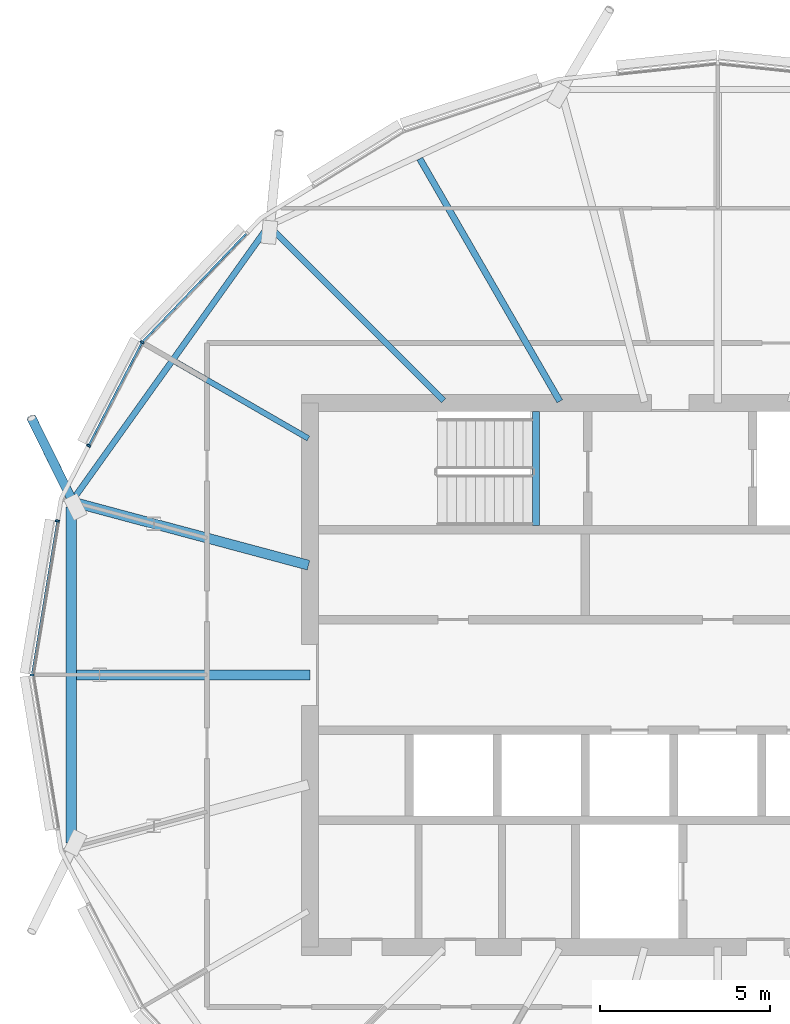
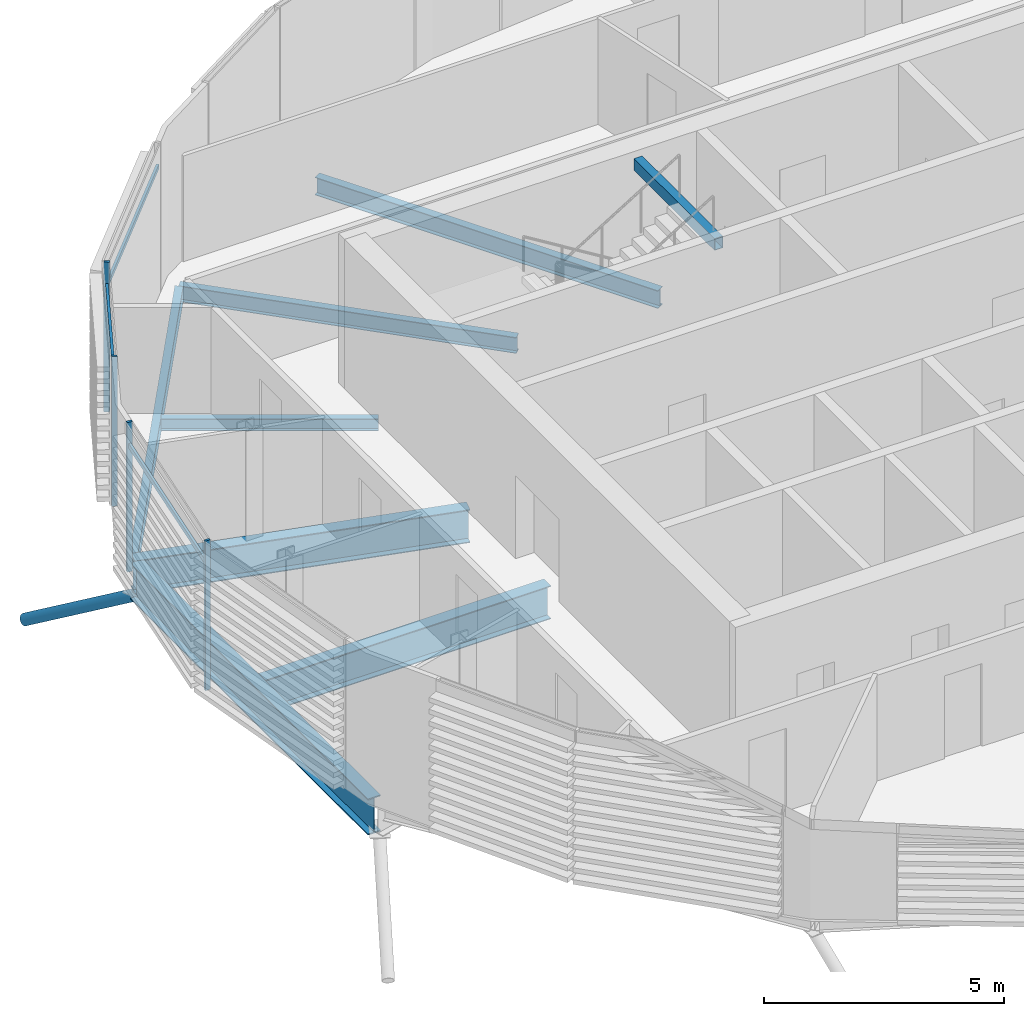
# One storey, part 5 of 34: 8 beams, 8 members, 1 element without a shape of its own.
"""IFC4 building model written with IfcOpenShell, lengths in metres."""

from ifc_helpers import new_model, si_unit, direction, frame, origin, origin_2d, place, context, subcontext, project, spatial, rectangle, hollow_rectangle, hollow_circle, i_section, extrude, clip, halfspace, material, material_profile, profile_set, type_object, element, aggregate, save


model = new_model("IFC4")

# Units and contexts
model_context = context("Model", 3, precision=1e-05, world=origin(), true_north=direction((0.0, 1.0)))
body_context = subcontext(model_context, "Body", "Model", "MODEL_VIEW")
ifc_project = project(units=[si_unit("LENGTHUNIT", "METRE"), si_unit("AREAUNIT", "SQUARE_METRE"), si_unit("VOLUMEUNIT", "CUBIC_METRE"), si_unit("PLANEANGLEUNIT", "RADIAN"), si_unit("MASSUNIT", "GRAM", prefix="KILO")], contexts=[model_context])

# Site, building, storey
site_placement = place(None, origin())
site = spatial("IfcSite", under=ifc_project, at=site_placement, CompositionType="ELEMENT")
building_placement = place(site_placement, origin())
building = spatial("IfcBuilding", under=site, at=building_placement, Name="Rimbun Link Towers", CompositionType="ELEMENT")
storey_placement = place(building_placement, frame((0.0, 0.0, 252.300048828125)))
storey = spatial("IfcBuildingStorey", under=building, at=storey_placement, Name="L62", CompositionType="ELEMENT", Elevation=252.300048828125)

# Curtain wall, members
ifc_material_1 = material(Name="Aluminium 6063-T6 and low-iron glass", Category="aluminium")
curtain_wall_type = type_object("IfcCurtainWallType", Name="CW1-Z4 unitised vision wall (zone 4)", PredefinedType="NOTDEFINED", material=ifc_material_1)
curtain_wall_placement = place(storey_placement, origin())
curtain_wall = element("IfcCurtainWall", 1, at=curtain_wall_placement, inside=storey, type_object=curtain_wall_type, Name="CW1 L62 T1", PredefinedType="NOTDEFINED")
ifc_material_2 = material(Name="Aluminium 6063-T6", Category="aluminium")
ifc_material_profile_1 = material_profile(ifc_material_2, rectangle(XDim=0.1201171875, YDim=0.06005859375, at=origin_2d()), Name="MULLION 60X120")
ifc_profile_set_1 = profile_set([ifc_material_profile_1], Name="Aluminium 6063-T6")
member_type_1 = type_object("IfcMemberType", Name="CW1 mullion 60X120", PredefinedType="MULLION", material=ifc_profile_set_1)
member_1_placement = place(storey_placement, frame((-48.683837890625, 9.783447265625, 0.0), z_axis=(0.0, 0.0, 1.0), x_axis=(-0.813354276071, 0.581768701115, 0.0)))
member_1 = element("IfcMember", 2, at=member_1_placement, type_object=member_type_1, Name="CW1 mullion", PredefinedType="MULLION", context=body_context, shape_type="SweptSolid", body=[
    extrude(rectangle(XDim=0.1201171875, YDim=0.06005859375, at=origin_2d()), origin(), (0.0, 0.0, 1.0), 3.800048828125),
])
member_2_placement = place(storey_placement, frame((-50.258056640625, 6.742431640625, 0.0), z_axis=(0.0, 0.0, 1.0), x_axis=(-0.888150898734, 0.459551935126, 0.0)))
member_2 = element("IfcMember", 3, at=member_2_placement, type_object=member_type_1, Name="CW1 mullion", PredefinedType="MULLION", context=body_context, shape_type="SweptSolid", body=[
    extrude(rectangle(XDim=0.1201171875, YDim=0.06005859375, at=origin_2d()), origin(), (0.0, 0.0, 1.0), 3.800048828125),
])
member_3_placement = place(storey_placement, frame((-51.917724609375, 0.0, 0.0), z_axis=(0.0, 0.0, 1.0), x_axis=(-1.0, 0.0, 0.0)))
member_3 = element("IfcMember", 4, at=member_3_placement, type_object=member_type_1, Name="CW1 mullion", PredefinedType="MULLION", context=body_context, shape_type="SweptSolid", body=[
    extrude(rectangle(XDim=0.1201171875, YDim=0.06005859375, at=origin_2d()), origin(), (0.0, 0.0, 1.0), 3.800048828125),
])
member_4_placement = place(storey_placement, frame((-51.173828125, 4.52880859375, 0.0), z_axis=(0.0, 0.0, 1.0), x_axis=(-0.986747677327, 0.162262199201, 0.0)))
member_4 = element("IfcMember", 5, at=member_4_placement, type_object=member_type_1, Name="CW1 mullion", PredefinedType="MULLION", context=body_context, shape_type="SweptSolid", body=[
    extrude(rectangle(XDim=0.1201171875, YDim=0.06005859375, at=origin_2d()), origin(), (0.0, 0.0, 1.0), 3.800048828125),
])
ifc_material_3 = material(Name="Aluminium 6063-T6", Category="aluminium")
ifc_material_profile_2 = material_profile(ifc_material_3, rectangle(XDim=0.06005859375, YDim=0.1201171875, at=origin_2d()), Name="TRANSOM 60X120")
ifc_profile_set_2 = profile_set([ifc_material_profile_2], Name="Aluminium 6063-T6")
member_type_2 = type_object("IfcMemberType", Name="CW1 transom 60X120", PredefinedType="USERDEFINED", material=ifc_profile_set_2)
member_5_placement = place(storey_placement, frame((-48.65625, 9.810302734375, 3.199951171875), z_axis=(0.692037083084, 0.721861950539, 0.0), x_axis=(-0.721861950539, 0.692037083084, 0.0)))
member_5 = element("IfcMember", 6, at=member_5_placement, type_object=member_type_2, Name="CW1 transom", ObjectType="TRANSOM", PredefinedType="USERDEFINED", context=body_context, shape_type="SweptSolid", body=[
    extrude(rectangle(XDim=0.06005859375, YDim=0.1201171875, at=origin_2d()), origin(), (0.0, 0.0, 1.0), 4.3876953125),
])
member_6_placement = place(storey_placement, frame((-50.24267578125, 6.76806640625, 3.199951171875), z_axis=(0.459567390883, 0.888142901361, 0.0), x_axis=(-0.888142901361, 0.459567390883, 0.0)))
member_6 = element("IfcMember", 7, at=member_6_placement, type_object=member_type_2, Name="CW1 transom", ObjectType="TRANSOM", PredefinedType="USERDEFINED", context=body_context, shape_type="SweptSolid", body=[
    extrude(rectangle(XDim=0.06005859375, YDim=0.1201171875, at=origin_2d()), origin(), (0.0, 0.0, 1.0), 3.35595703125),
])
member_7_placement = place(storey_placement, frame((-51.91015625, 0.0390625, 3.199951171875), z_axis=(0.16226135535, 0.986747816091, 0.0), x_axis=(-0.986747816091, 0.16226135535, 0.0)))
member_7 = element("IfcMember", 8, at=member_7_placement, type_object=member_type_2, Name="CW1 transom", ObjectType="TRANSOM", PredefinedType="USERDEFINED", context=body_context, shape_type="SweptSolid", body=[
    extrude(rectangle(XDim=0.06005859375, YDim=0.1201171875, at=origin_2d()), origin(), (0.0, 0.0, 1.0), 4.519775390625),
])
aggregate(curtain_wall, [member_1, member_2, member_3, member_4, member_5, member_6, member_7])

# Member
ifc_material_4 = material(Name="Steel S355J2H", Category="steel")
ifc_material_profile_3 = material_profile(ifc_material_4, hollow_circle(Radius=0.136474609375, WallThickness=0.012451171875, at=origin_2d()), Name="CHS 273x12.5")
ifc_profile_set_3 = profile_set([ifc_material_profile_3], Name="Steel S355J2H")
member_type_3 = type_object("IfcMemberType", Name="Floor edge link CHS 273x12.5", PredefinedType="BRACE", material=ifc_profile_set_3)
member_8_placement = place(storey_placement, frame((-50.713623046875, 5.081298828125, -1.096923828125), z_axis=(-0.377196030767, 0.762957867811, -0.524993758361), x_axis=(-0.896430995804, -0.443183336511, 0.0)))
element("IfcMember", 9, at=member_8_placement, inside=storey, type_object=member_type_3, Name="Floor edge link T1 L62 11", PredefinedType="BRACE", context=body_context, shape_type="Clipping", body=[
    clip(extrude(hollow_circle(Radius=0.136474609375, WallThickness=0.012451171875, at=origin_2d()), frame((0.0, 0.0, -0.461669921875)), (0.0, 0.0, 1.0), 3.710693359375), halfspace(frame((0.0, 0.0, -0.217529296875), z_axis=(0.0, 0.851106076633, -0.524993758361)), False)),
])

# Beams
ifc_material_5 = material(Name="Steel S355J2", Category="steel")
ifc_material_profile_4 = material_profile(ifc_material_5, hollow_rectangle(XDim=0.199951171875, YDim=0.300048828125, WallThickness=0.011962890625, at=origin_2d()), Name="BOX 300x200x12")
ifc_profile_set_4 = profile_set([ifc_material_profile_4], Name="Steel S355J2")
beam_type_1 = type_object("IfcBeamType", Name="Stair trimmer beam BOX 300x200x12", PredefinedType="BEAM", material=ifc_profile_set_4)
beam_1_placement = place(storey_placement, frame((-37.10009765625, 7.75, 3.469970703125), z_axis=(0.0, -1.0, 0.0), x_axis=(1.0, 0.0, 0.0)))
element("IfcBeam", 10, at=beam_1_placement, inside=storey, type_object=beam_type_1, Name="L62 ST1 stair beam 1", PredefinedType="BEAM", context=body_context, shape_type="SweptSolid", body=[
    extrude(hollow_rectangle(XDim=0.199951171875, YDim=0.300048828125, WallThickness=0.011962890625, at=origin_2d()), origin(), (0.0, 0.0, 1.0), 3.35009765625),
])
ifc_material_6 = material(Name="Steel S355J2", Category="steel")
ifc_material_profile_5 = material_profile(ifc_material_6, i_section(OverallWidth=0.1650390625, OverallDepth=0.303466796875, WebThickness=0.006103515625, FlangeThickness=0.01025390625, at=origin_2d()), Name="UB 305x165x40")
ifc_profile_set_5 = profile_set([ifc_material_profile_5], Name="Steel S355J2")
beam_type_2 = type_object("IfcBeamType", Name="UB 305x165x40", PredefinedType="BEAM", material=ifc_profile_set_5)
beam_2_placement = place(storey_placement, frame((-43.7919921875, 6.952392578125, -0.291748046875), z_axis=(-0.866024614991, 0.500001366228, 0.0), x_axis=(-0.500001366228, -0.866024614991, 0.0)))
element("IfcBeam", 11, at=beam_2_placement, inside=storey, type_object=beam_type_2, Name="Radial beam T1 L62 10", PredefinedType="BEAM", context=body_context, shape_type="SweptSolid", body=[
    extrude(i_section(OverallWidth=0.1650390625, OverallDepth=0.303466796875, WebThickness=0.006103515625, FlangeThickness=0.01025390625, at=origin_2d()), origin(), (0.0, 0.0, 1.0), 4.52099609375),
])
ifc_material_7 = material(Name="Steel S355J2", Category="steel")
ifc_material_profile_6 = material_profile(ifc_material_7, i_section(OverallWidth=0.177978515625, OverallDepth=0.406494140625, WebThickness=0.0078125, FlangeThickness=0.0126953125, at=origin_2d()), Name="UB 406x178x60")
ifc_profile_set_6 = profile_set([ifc_material_profile_6], Name="Steel S355J2")
beam_type_3 = type_object("IfcBeamType", Name="UB 406x178x60", PredefinedType="BEAM", material=ifc_profile_set_6)
beam_3_placement = place(storey_placement, frame((-39.813720703125, 8.063720703125, -0.34326171875), z_axis=(-0.707106781187, 0.707106781187, 0.0), x_axis=(-0.707106781187, -0.707106781187, 0.0)))
element("IfcBeam", 12, at=beam_3_placement, inside=storey, type_object=beam_type_3, Name="Radial beam T1 L62 09", PredefinedType="BEAM", context=body_context, shape_type="SweptSolid", body=[
    extrude(i_section(OverallWidth=0.177978515625, OverallDepth=0.406494140625, WebThickness=0.0078125, FlangeThickness=0.0126953125, at=origin_2d()), origin(), (0.0, 0.0, 1.0), 7.2783203125),
])
beam_4_placement = place(storey_placement, frame((-45.013427734375, 13.13623046875, -0.34326171875), z_axis=(-0.581515919417, -0.813535024117, 0.0), x_axis=(0.813535024117, -0.581515919417, 0.0)))
element("IfcBeam", 13, at=beam_4_placement, inside=storey, type_object=beam_type_3, Name="Edge beam T1 L62 09-11", PredefinedType="BEAM", context=body_context, shape_type="SweptSolid", body=[
    extrude(i_section(OverallWidth=0.177978515625, OverallDepth=0.406494140625, WebThickness=0.0078125, FlangeThickness=0.0126953125, at=origin_2d()), origin(), (0.0, 0.0, 1.0), 9.72802734375),
])
ifc_material_8 = material(Name="Steel S355J2", Category="steel")
ifc_material_profile_7 = material_profile(ifc_material_8, i_section(OverallWidth=0.18994140625, OverallDepth=0.453369140625, WebThickness=0.008544921875, FlangeThickness=0.0126953125, at=origin_2d()), Name="UB 457x191x67")
ifc_profile_set_7 = profile_set([ifc_material_profile_7], Name="Steel S355J2")
beam_type_4 = type_object("IfcBeamType", Name="UB 457x191x67", PredefinedType="BEAM", material=ifc_profile_set_7)
beam_5_placement = place(storey_placement, frame((-36.396728515625, 8.04833984375, -0.36669921875), z_axis=(-0.499996112969, 0.866027647951, 0.0), x_axis=(-0.866027647951, -0.499996112969, 0.0)))
element("IfcBeam", 14, at=beam_5_placement, inside=storey, type_object=beam_type_4, Name="Radial beam T1 L62 08", PredefinedType="BEAM", context=body_context, shape_type="SweptSolid", body=[
    extrude(i_section(OverallWidth=0.18994140625, OverallDepth=0.453369140625, WebThickness=0.008544921875, FlangeThickness=0.0126953125, at=origin_2d()), origin(), (0.0, 0.0, 1.0), 8.2373046875),
])
ifc_material_9 = material(Name="Steel S355J2", Category="steel")
ifc_material_profile_8 = material_profile(ifc_material_9, i_section(OverallWidth=0.29248046875, OverallDepth=0.8408203125, WebThickness=0.0126953125, FlangeThickness=0.021728515625, at=origin_2d()), Name="UB 838x292x194")
ifc_profile_set_8 = profile_set([ifc_material_profile_8], Name="Steel S355J2")
beam_type_5 = type_object("IfcBeamType", Name="UB 838x292x194", PredefinedType="BEAM", material=ifc_profile_set_8)
beam_6_placement = place(storey_placement, frame((-43.788818359375, 3.225830078125, -0.560302734375), z_axis=(-0.965927219891, 0.258813844052, 0.0), x_axis=(-0.258813844052, -0.965927219891, 0.0)))
element("IfcBeam", 15, at=beam_6_placement, inside=storey, type_object=beam_type_5, Name="Radial beam T1 L62 11", PredefinedType="BEAM", context=body_context, shape_type="SweptSolid", body=[
    extrude(i_section(OverallWidth=0.29248046875, OverallDepth=0.8408203125, WebThickness=0.0126953125, FlangeThickness=0.021728515625, at=origin_2d()), origin(), (0.0, 0.0, 1.0), 7.21923828125),
])
beam_7_placement = place(storey_placement, frame((-43.7509765625, 0.0, -0.560302734375), z_axis=(-1.0, 0.0, 0.0), x_axis=(0.0, -1.0, 0.0)))
element("IfcBeam", 16, at=beam_7_placement, inside=storey, type_object=beam_type_5, Name="Radial beam T1 L62 12", PredefinedType="BEAM", context=body_context, shape_type="SweptSolid", body=[
    extrude(i_section(OverallWidth=0.29248046875, OverallDepth=0.8408203125, WebThickness=0.0126953125, FlangeThickness=0.021728515625, at=origin_2d()), origin(), (0.0, 0.0, 1.0), 6.857177734375),
])
ifc_material_10 = material(Name="Steel S355J2", Category="steel")
ifc_material_profile_9 = material_profile(ifc_material_10, i_section(OverallWidth=0.305419921875, OverallDepth=0.91845703125, WebThickness=0.017333984375, FlangeThickness=0.02783203125, at=origin_2d()), Name="UB 914x305x253")
ifc_profile_set_9 = profile_set([ifc_material_profile_9], Name="Steel S355J2")
beam_type_6 = type_object("IfcBeamType", Name="UB 914x305x253", PredefinedType="BEAM", material=ifc_profile_set_9)
beam_8_placement = place(storey_placement, frame((-50.761962890625, 4.94189453125, -0.599365234375), z_axis=(0.0, -1.0, 0.0), x_axis=(1.0, 0.0, 0.0)))
element("IfcBeam", 17, at=beam_8_placement, inside=storey, type_object=beam_type_6, Name="Edge beam T1 L62 11-13", PredefinedType="BEAM", context=body_context, shape_type="SweptSolid", body=[
    extrude(i_section(OverallWidth=0.305419921875, OverallDepth=0.91845703125, WebThickness=0.017333984375, FlangeThickness=0.02783203125, at=origin_2d()), origin(), (0.0, 0.0, 1.0), 9.8837890625),
])

save(model, "model.ifc")
